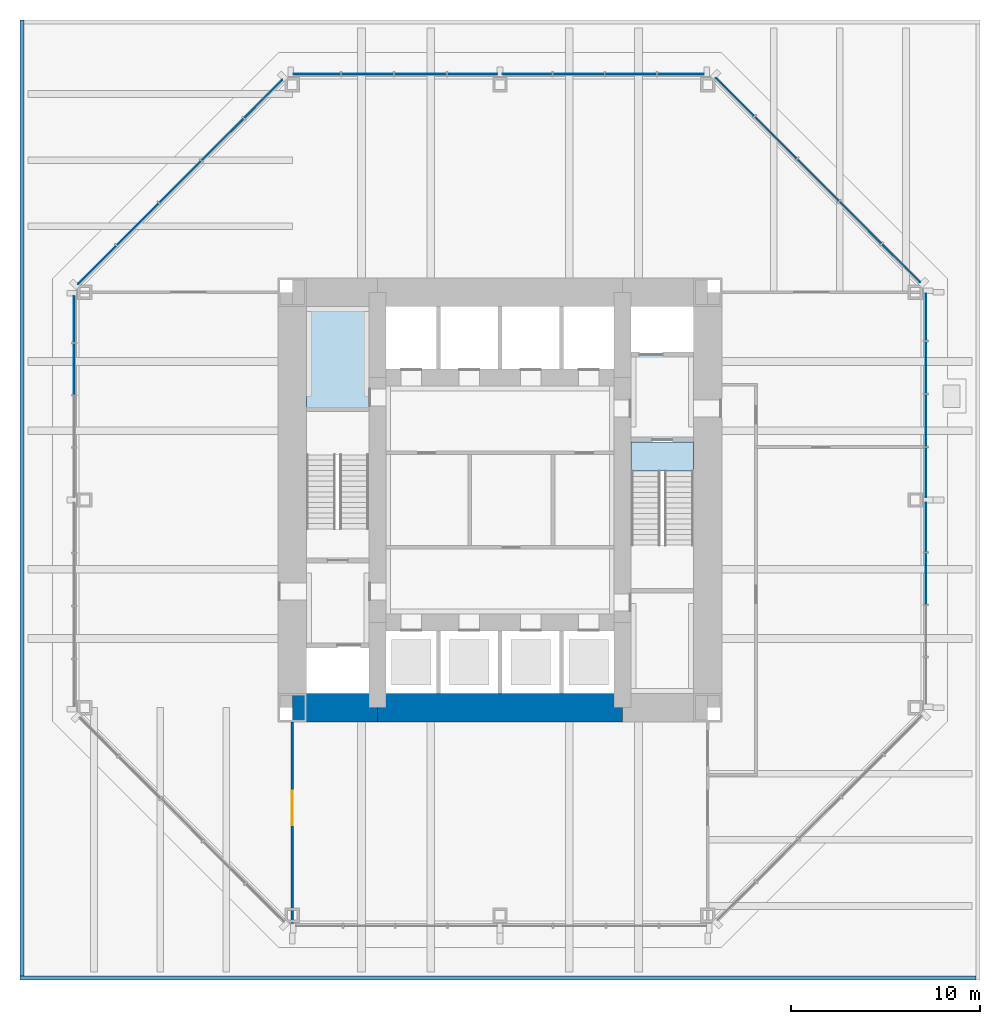
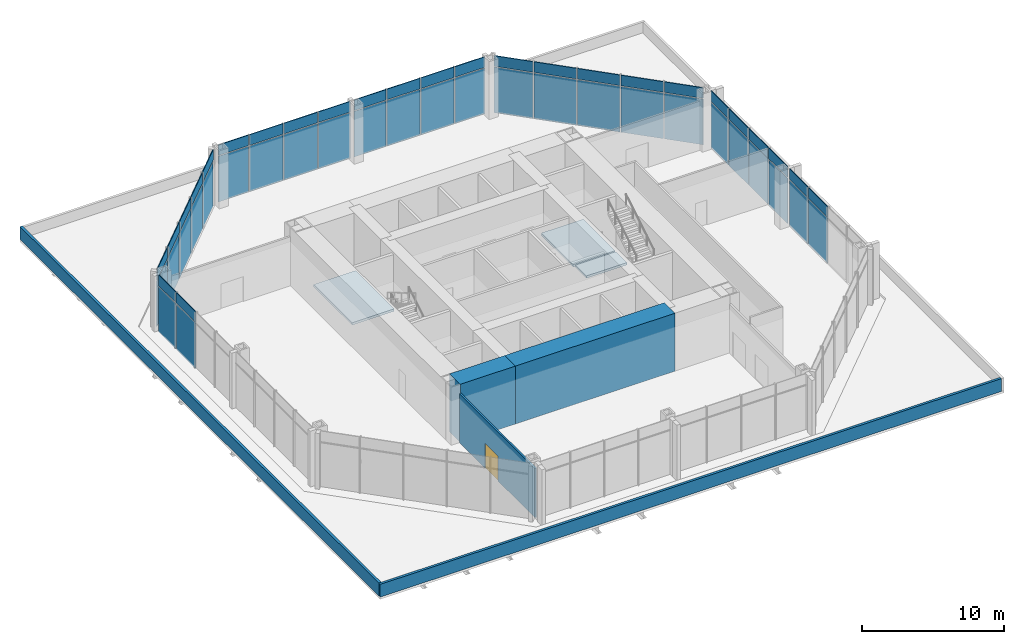
# One storey, part 7 of 11: 52 plates, 5 walls, 3 slabs, 1 door, 1 opening, 6 elements without a shape of their own.
"""IFC4 building model written with IfcOpenShell, lengths in metres."""

from ifc_helpers import new_model, si_unit, direction, frame, frame_2d, origin, origin_2d, place, context, subcontext, project, spatial, polyline, rectangle, outline, extrude, material, layer, layer_set, type_object, element, fill, aggregate, save


model = new_model("IFC4")

# Units and contexts
model_context = context("Model", 3, precision=1e-05, world=origin(), true_north=direction((0.0, 1.0)))
body_context = subcontext(model_context, "Body", "Model", "MODEL_VIEW")
ifc_project = project(units=[si_unit("LENGTHUNIT", "METRE"), si_unit("AREAUNIT", "SQUARE_METRE"), si_unit("VOLUMEUNIT", "CUBIC_METRE"), si_unit("PLANEANGLEUNIT", "RADIAN"), si_unit("MASSUNIT", "GRAM", prefix="KILO")], contexts=[model_context])

# Site, building, storey
site_placement = place(None, origin())
site = spatial("IfcSite", under=ifc_project, at=site_placement, CompositionType="ELEMENT")
building_placement = place(site_placement, origin())
building = spatial("IfcBuilding", under=site, at=building_placement, Name="Trevanion Tower", CompositionType="ELEMENT")
storey_placement = place(building_placement, frame((0.0, 0.0, 95.800048828125)))
storey = spatial("IfcBuildingStorey", under=building, at=storey_placement, Name="L22", CompositionType="ELEMENT", Elevation=95.800048828125)

# Curtain wall, plates
ifc_material_1 = material(Name="Aluminium and glass", Category="aluminium")
curtain_wall_type = type_object("IfcCurtainWallType", Name="CW2 curtain wall", PredefinedType="USERDEFINED", material=ifc_material_1)
curtain_wall_1_placement = place(storey_placement, origin())
curtain_wall_1 = element("IfcCurtainWall", 1, at=curtain_wall_1_placement, inside=storey, type_object=curtain_wall_type, Name="CW2 L22 0", ObjectType="UNITISED CURTAIN WALL", PredefinedType="USERDEFINED")
ifc_material_2 = material(Name="Aluminium spandrel panel", Category="aluminium")
ifc_layer_1 = layer(ifc_material_2, 0.06005859375)
ifc_layer_set_1 = layer_set([ifc_layer_1], Name="CW2 spandrel panel")
plate_type_1 = type_object("IfcPlateType", Name="CW2 spandrel panel", PredefinedType="CURTAIN_PANEL", material=ifc_layer_set_1)
plate_1_placement = place(storey_placement, frame((22.550048828125, -4.16162109375, 3.8974609375), z_axis=(0.0, 0.0, 1.0), x_axis=(0.0, 1.0, 0.0)))
plate_1 = element("IfcPlate", 2, at=plate_1_placement, type_object=plate_type_1, Name="CW2 panel 3.2", PredefinedType="CURTAIN_PANEL", context=body_context, shape_type="SweptSolid", body=[
    extrude(rectangle(XDim=2.699462890625, YDim=0.06005859375, at=origin_2d()), origin(), (0.0, 0.0, 1.0), 0.91259765625),
])
plate_2_placement = place(storey_placement, frame((22.550048828125, -1.443603515625, 3.8974609375), z_axis=(0.0, 0.0, 1.0), x_axis=(0.0, 1.0, 0.0)))
plate_2 = element("IfcPlate", 3, at=plate_2_placement, type_object=plate_type_1, Name="CW2 panel 4.2", PredefinedType="CURTAIN_PANEL", context=body_context, shape_type="SweptSolid", body=[
    extrude(rectangle(XDim=2.5869140625, YDim=0.06005859375, at=origin_2d()), origin(), (0.0, 0.0, 1.0), 0.91259765625),
])
plate_3_placement = place(storey_placement, frame((22.550048828125, 1.459716796875, 3.8974609375), z_axis=(0.0, 0.0, 1.0), x_axis=(0.0, 1.0, 0.0)))
plate_3 = element("IfcPlate", 4, at=plate_3_placement, type_object=plate_type_1, Name="CW2 panel 5.2", PredefinedType="CURTAIN_PANEL", context=body_context, shape_type="SweptSolid", body=[
    extrude(rectangle(XDim=2.619384765625, YDim=0.06005859375, at=origin_2d()), origin(), (0.0, 0.0, 1.0), 0.91259765625),
])
plate_4_placement = place(storey_placement, frame((22.550048828125, 4.21044921875, 3.8974609375), z_axis=(0.0, 0.0, 1.0), x_axis=(0.0, 1.0, 0.0)))
plate_4 = element("IfcPlate", 5, at=plate_4_placement, type_object=plate_type_1, Name="CW2 panel 6.2", PredefinedType="CURTAIN_PANEL", context=body_context, shape_type="SweptSolid", body=[
    extrude(rectangle(XDim=2.73193359375, YDim=0.06005859375, at=origin_2d()), origin(), (0.0, 0.0, 1.0), 0.91259765625),
])
plate_5_placement = place(storey_placement, frame((22.550048828125, 7.017333984375, 3.8974609375), z_axis=(0.0, 0.0, 1.0), x_axis=(0.0, 1.0, 0.0)))
plate_5 = element("IfcPlate", 6, at=plate_5_placement, type_object=plate_type_1, Name="CW2 panel 7.2", PredefinedType="CURTAIN_PANEL", context=body_context, shape_type="SweptSolid", body=[
    extrude(rectangle(XDim=2.73193359375, YDim=0.06005859375, at=origin_2d()), origin(), (0.0, 0.0, 1.0), 0.91259765625),
])
plate_6_placement = place(storey_placement, frame((22.550048828125, 9.693115234375, 3.8974609375), z_axis=(0.0, 0.0, 1.0), x_axis=(0.0, 1.0, 0.0)))
plate_6 = element("IfcPlate", 7, at=plate_6_placement, type_object=plate_type_1, Name="CW2 panel 8.2", PredefinedType="CURTAIN_PANEL", context=body_context, shape_type="SweptSolid", body=[
    extrude(rectangle(XDim=2.469482421875, YDim=0.06005859375, at=origin_2d()), origin(), (0.0, 0.0, 1.0), 0.91259765625),
])

curtain_wall_2_placement = place(storey_placement, origin())
curtain_wall_2 = element("IfcCurtainWall", 8, at=curtain_wall_2_placement, inside=storey, type_object=curtain_wall_type, Name="CW2 L22 1", ObjectType="UNITISED CURTAIN WALL", PredefinedType="USERDEFINED")
plate_7_placement = place(storey_placement, frame((21.2421875, 12.53564453125, 3.8974609375), z_axis=(0.0, 0.0, 1.0), x_axis=(-0.707106781187, 0.707106781187, 0.0)))
plate_7 = element("IfcPlate", 9, at=plate_7_placement, type_object=plate_type_1, Name="CW2 panel 1.2", PredefinedType="CURTAIN_PANEL", context=body_context, shape_type="SweptSolid", body=[
    extrude(rectangle(XDim=2.8388671875, YDim=0.06005859375, at=origin_2d()), origin(), (0.0, 0.0, 1.0), 0.91259765625),
])
plate_8_placement = place(storey_placement, frame((19.089111328125, 14.688720703125, 3.8974609375), z_axis=(0.0, 0.0, 1.0), x_axis=(-0.707106781187, 0.707106781187, 0.0)))
plate_8 = element("IfcPlate", 10, at=plate_8_placement, type_object=plate_type_1, Name="CW2 panel 2.2", PredefinedType="CURTAIN_PANEL", context=body_context, shape_type="SweptSolid", body=[
    extrude(rectangle(XDim=3.101318359375, YDim=0.06005859375, at=origin_2d()), origin(), (0.0, 0.0, 1.0), 0.91259765625),
])
plate_9_placement = place(storey_placement, frame((16.843017578125, 16.934814453125, 3.8974609375), z_axis=(0.0, 0.0, 1.0), x_axis=(-0.707106781187, 0.707106781187, 0.0)))
plate_9 = element("IfcPlate", 11, at=plate_9_placement, type_object=plate_type_1, Name="CW2 panel 3.2", PredefinedType="CURTAIN_PANEL", context=body_context, shape_type="SweptSolid", body=[
    extrude(rectangle(XDim=3.101318359375, YDim=0.06005859375, at=origin_2d()), origin(), (0.0, 0.0, 1.0), 0.91259765625),
])
plate_10_placement = place(storey_placement, frame((14.596923828125, 19.180908203125, 3.8974609375), z_axis=(0.0, 0.0, 1.0), x_axis=(-0.707106781187, 0.707106781187, 0.0)))
plate_10 = element("IfcPlate", 12, at=plate_10_placement, type_object=plate_type_1, Name="CW2 panel 4.2", PredefinedType="CURTAIN_PANEL", context=body_context, shape_type="SweptSolid", body=[
    extrude(rectangle(XDim=3.101318359375, YDim=0.06005859375, at=origin_2d()), origin(), (0.0, 0.0, 1.0), 0.91259765625),
])
plate_11_placement = place(storey_placement, frame((12.443603515625, 21.334228515625, 3.8974609375), z_axis=(0.0, 0.0, 1.0), x_axis=(-0.707106781187, 0.707106781187, 0.0)))
plate_11 = element("IfcPlate", 13, at=plate_11_placement, type_object=plate_type_1, Name="CW2 panel 5.2", PredefinedType="CURTAIN_PANEL", context=body_context, shape_type="SweptSolid", body=[
    extrude(rectangle(XDim=2.8388671875, YDim=0.06005859375, at=origin_2d()), origin(), (0.0, 0.0, 1.0), 0.91259765625),
])

curtain_wall_3_placement = place(storey_placement, origin())
curtain_wall_3 = element("IfcCurtainWall", 14, at=curtain_wall_3_placement, inside=storey, type_object=curtain_wall_type, Name="CW2 L22 2", ObjectType="UNITISED CURTAIN WALL", PredefinedType="USERDEFINED")
plate_12_placement = place(storey_placement, frame((9.579345703125, 22.550048828125, 3.8974609375), z_axis=(0.0, 0.0, 1.0), x_axis=(-1.0, 0.0, 0.0)))
plate_12 = element("IfcPlate", 15, at=plate_12_placement, type_object=plate_type_1, Name="CW2 panel 1.2", PredefinedType="CURTAIN_PANEL", context=body_context, shape_type="SweptSolid", body=[
    extrude(rectangle(XDim=2.43701171875, YDim=0.06005859375, at=origin_2d()), origin(), (0.0, 0.0, 1.0), 0.91259765625),
])
plate_13_placement = place(storey_placement, frame((6.93603515625, 22.550048828125, 3.8974609375), z_axis=(0.0, 0.0, 1.0), x_axis=(-1.0, 0.0, 0.0)))
plate_13 = element("IfcPlate", 16, at=plate_13_placement, type_object=plate_type_1, Name="CW2 panel 2.2", PredefinedType="CURTAIN_PANEL", context=body_context, shape_type="SweptSolid", body=[
    extrude(rectangle(XDim=2.699462890625, YDim=0.06005859375, at=origin_2d()), origin(), (0.0, 0.0, 1.0), 0.91259765625),
])
plate_14_placement = place(storey_placement, frame((4.16162109375, 22.550048828125, 3.8974609375), z_axis=(0.0, 0.0, 1.0), x_axis=(-1.0, 0.0, 0.0)))
plate_14 = element("IfcPlate", 17, at=plate_14_placement, type_object=plate_type_1, Name="CW2 panel 3.2", PredefinedType="CURTAIN_PANEL", context=body_context, shape_type="SweptSolid", body=[
    extrude(rectangle(XDim=2.699462890625, YDim=0.06005859375, at=origin_2d()), origin(), (0.0, 0.0, 1.0), 0.91259765625),
])
plate_15_placement = place(storey_placement, frame((1.443603515625, 22.550048828125, 3.8974609375), z_axis=(0.0, 0.0, 1.0), x_axis=(-1.0, 0.0, 0.0)))
plate_15 = element("IfcPlate", 18, at=plate_15_placement, type_object=plate_type_1, Name="CW2 panel 4.2", PredefinedType="CURTAIN_PANEL", context=body_context, shape_type="SweptSolid", body=[
    extrude(rectangle(XDim=2.5869140625, YDim=0.06005859375, at=origin_2d()), origin(), (0.0, 0.0, 1.0), 0.91259765625),
])
plate_16_placement = place(storey_placement, frame((-1.459716796875, 22.550048828125, 3.8974609375), z_axis=(0.0, 0.0, 1.0), x_axis=(-1.0, 0.0, 0.0)))
plate_16 = element("IfcPlate", 19, at=plate_16_placement, type_object=plate_type_1, Name="CW2 panel 5.2", PredefinedType="CURTAIN_PANEL", context=body_context, shape_type="SweptSolid", body=[
    extrude(rectangle(XDim=2.619384765625, YDim=0.06005859375, at=origin_2d()), origin(), (0.0, 0.0, 1.0), 0.91259765625),
])
plate_17_placement = place(storey_placement, frame((-4.21044921875, 22.550048828125, 3.8974609375), z_axis=(0.0, 0.0, 1.0), x_axis=(-1.0, 0.0, 0.0)))
plate_17 = element("IfcPlate", 20, at=plate_17_placement, type_object=plate_type_1, Name="CW2 panel 6.2", PredefinedType="CURTAIN_PANEL", context=body_context, shape_type="SweptSolid", body=[
    extrude(rectangle(XDim=2.73193359375, YDim=0.06005859375, at=origin_2d()), origin(), (0.0, 0.0, 1.0), 0.91259765625),
])
plate_18_placement = place(storey_placement, frame((-7.017333984375, 22.550048828125, 3.8974609375), z_axis=(0.0, 0.0, 1.0), x_axis=(-1.0, 0.0, 0.0)))
plate_18 = element("IfcPlate", 21, at=plate_18_placement, type_object=plate_type_1, Name="CW2 panel 7.2", PredefinedType="CURTAIN_PANEL", context=body_context, shape_type="SweptSolid", body=[
    extrude(rectangle(XDim=2.73193359375, YDim=0.06005859375, at=origin_2d()), origin(), (0.0, 0.0, 1.0), 0.91259765625),
])
plate_19_placement = place(storey_placement, frame((-9.693115234375, 22.550048828125, 3.8974609375), z_axis=(0.0, 0.0, 1.0), x_axis=(-1.0, 0.0, 0.0)))
plate_19 = element("IfcPlate", 22, at=plate_19_placement, type_object=plate_type_1, Name="CW2 panel 8.2", PredefinedType="CURTAIN_PANEL", context=body_context, shape_type="SweptSolid", body=[
    extrude(rectangle(XDim=2.469482421875, YDim=0.06005859375, at=origin_2d()), origin(), (0.0, 0.0, 1.0), 0.91259765625),
])

curtain_wall_4_placement = place(storey_placement, origin())
curtain_wall_4 = element("IfcCurtainWall", 23, at=curtain_wall_4_placement, inside=storey, type_object=curtain_wall_type, Name="CW2 L22 3", ObjectType="UNITISED CURTAIN WALL", PredefinedType="USERDEFINED")
plate_20_placement = place(storey_placement, frame((-12.53564453125, 21.2421875, 3.8974609375), z_axis=(0.0, 0.0, 1.0), x_axis=(-0.707106781187, -0.707106781187, 0.0)))
plate_20 = element("IfcPlate", 24, at=plate_20_placement, type_object=plate_type_1, Name="CW2 panel 1.2", PredefinedType="CURTAIN_PANEL", context=body_context, shape_type="SweptSolid", body=[
    extrude(rectangle(XDim=2.8388671875, YDim=0.06005859375, at=origin_2d()), origin(), (0.0, 0.0, 1.0), 0.91259765625),
])
plate_21_placement = place(storey_placement, frame((-14.688720703125, 19.089111328125, 3.8974609375), z_axis=(0.0, 0.0, 1.0), x_axis=(-0.707106781187, -0.707106781187, 0.0)))
plate_21 = element("IfcPlate", 25, at=plate_21_placement, type_object=plate_type_1, Name="CW2 panel 2.2", PredefinedType="CURTAIN_PANEL", context=body_context, shape_type="SweptSolid", body=[
    extrude(rectangle(XDim=3.101318359375, YDim=0.06005859375, at=origin_2d()), origin(), (0.0, 0.0, 1.0), 0.91259765625),
])
plate_22_placement = place(storey_placement, frame((-16.934814453125, 16.843017578125, 3.8974609375), z_axis=(0.0, 0.0, 1.0), x_axis=(-0.707106781187, -0.707106781187, 0.0)))
plate_22 = element("IfcPlate", 26, at=plate_22_placement, type_object=plate_type_1, Name="CW2 panel 3.2", PredefinedType="CURTAIN_PANEL", context=body_context, shape_type="SweptSolid", body=[
    extrude(rectangle(XDim=3.101318359375, YDim=0.06005859375, at=origin_2d()), origin(), (0.0, 0.0, 1.0), 0.91259765625),
])
plate_23_placement = place(storey_placement, frame((-19.180908203125, 14.596923828125, 3.8974609375), z_axis=(0.0, 0.0, 1.0), x_axis=(-0.707106781187, -0.707106781187, 0.0)))
plate_23 = element("IfcPlate", 27, at=plate_23_placement, type_object=plate_type_1, Name="CW2 panel 4.2", PredefinedType="CURTAIN_PANEL", context=body_context, shape_type="SweptSolid", body=[
    extrude(rectangle(XDim=3.101318359375, YDim=0.06005859375, at=origin_2d()), origin(), (0.0, 0.0, 1.0), 0.91259765625),
])
plate_24_placement = place(storey_placement, frame((-21.334228515625, 12.443603515625, 3.8974609375), z_axis=(0.0, 0.0, 1.0), x_axis=(-0.707106781187, -0.707106781187, 0.0)))
plate_24 = element("IfcPlate", 28, at=plate_24_placement, type_object=plate_type_1, Name="CW2 panel 5.2", PredefinedType="CURTAIN_PANEL", context=body_context, shape_type="SweptSolid", body=[
    extrude(rectangle(XDim=2.8388671875, YDim=0.06005859375, at=origin_2d()), origin(), (0.0, 0.0, 1.0), 0.91259765625),
])

curtain_wall_5_placement = place(storey_placement, origin())
curtain_wall_5 = element("IfcCurtainWall", 29, at=curtain_wall_5_placement, inside=storey, type_object=curtain_wall_type, Name="CW2 L22 4", ObjectType="UNITISED CURTAIN WALL", PredefinedType="USERDEFINED")
plate_25_placement = place(storey_placement, frame((-22.550048828125, 9.579345703125, 3.8974609375), z_axis=(0.0, 0.0, 1.0), x_axis=(0.0, -1.0, 0.0)))
plate_25 = element("IfcPlate", 30, at=plate_25_placement, type_object=plate_type_1, Name="CW2 panel 1.2", PredefinedType="CURTAIN_PANEL", context=body_context, shape_type="SweptSolid", body=[
    extrude(rectangle(XDim=2.43701171875, YDim=0.06005859375, at=origin_2d()), origin(), (0.0, 0.0, 1.0), 0.91259765625),
])
plate_26_placement = place(storey_placement, frame((-22.550048828125, 6.93603515625, 3.8974609375), z_axis=(0.0, 0.0, 1.0), x_axis=(0.0, -1.0, 0.0)))
plate_26 = element("IfcPlate", 31, at=plate_26_placement, type_object=plate_type_1, Name="CW2 panel 2.2", PredefinedType="CURTAIN_PANEL", context=body_context, shape_type="SweptSolid", body=[
    extrude(rectangle(XDim=2.699462890625, YDim=0.06005859375, at=origin_2d()), origin(), (0.0, 0.0, 1.0), 0.91259765625),
])

# Plate
ifc_material_3 = material(Name="Insulating glass unit", Category="glass")
ifc_layer_2 = layer(ifc_material_3, 0.028076171875)
ifc_layer_set_2 = layer_set([ifc_layer_2], Name="CW2 vision panel")
plate_type_2 = type_object("IfcPlateType", Name="CW2 vision panel", PredefinedType="CURTAIN_PANEL", material=ifc_layer_set_2)
plate_27_placement = place(storey_placement, frame((22.550048828125, -4.16162109375, -0.114990234375), z_axis=(0.0, 0.0, 1.0), x_axis=(0.0, 1.0, 0.0)))
plate_27 = element("IfcPlate", 32, at=plate_27_placement, type_object=plate_type_2, Name="CW2 panel 3.1", PredefinedType="CURTAIN_PANEL", context=body_context, shape_type="SweptSolid", body=[
    extrude(rectangle(XDim=2.699462890625, YDim=0.028076171875, at=origin_2d()), origin(), (0.0, 0.0, 1.0), 3.9375),
])

plate_28_placement = place(storey_placement, frame((22.550048828125, -1.443603515625, -0.114990234375), z_axis=(0.0, 0.0, 1.0), x_axis=(0.0, 1.0, 0.0)))
plate_28 = element("IfcPlate", 33, at=plate_28_placement, type_object=plate_type_2, Name="CW2 panel 4.1", PredefinedType="CURTAIN_PANEL", context=body_context, shape_type="SweptSolid", body=[
    extrude(rectangle(XDim=2.5869140625, YDim=0.028076171875, at=origin_2d()), origin(), (0.0, 0.0, 1.0), 3.9375),
])

plate_29_placement = place(storey_placement, frame((22.550048828125, 1.459716796875, -0.114990234375), z_axis=(0.0, 0.0, 1.0), x_axis=(0.0, 1.0, 0.0)))
plate_29 = element("IfcPlate", 34, at=plate_29_placement, type_object=plate_type_2, Name="CW2 panel 5.1", PredefinedType="CURTAIN_PANEL", context=body_context, shape_type="SweptSolid", body=[
    extrude(rectangle(XDim=2.619384765625, YDim=0.028076171875, at=origin_2d()), origin(), (0.0, 0.0, 1.0), 3.9375),
])

plate_30_placement = place(storey_placement, frame((22.550048828125, 4.21044921875, -0.114990234375), z_axis=(0.0, 0.0, 1.0), x_axis=(0.0, 1.0, 0.0)))
plate_30 = element("IfcPlate", 35, at=plate_30_placement, type_object=plate_type_2, Name="CW2 panel 6.1", PredefinedType="CURTAIN_PANEL", context=body_context, shape_type="SweptSolid", body=[
    extrude(rectangle(XDim=2.73193359375, YDim=0.028076171875, at=origin_2d()), origin(), (0.0, 0.0, 1.0), 3.9375),
])

plate_31_placement = place(storey_placement, frame((22.550048828125, 7.017333984375, -0.114990234375), z_axis=(0.0, 0.0, 1.0), x_axis=(0.0, 1.0, 0.0)))
plate_31 = element("IfcPlate", 36, at=plate_31_placement, type_object=plate_type_2, Name="CW2 panel 7.1", PredefinedType="CURTAIN_PANEL", context=body_context, shape_type="SweptSolid", body=[
    extrude(rectangle(XDim=2.73193359375, YDim=0.028076171875, at=origin_2d()), origin(), (0.0, 0.0, 1.0), 3.9375),
])

plate_32_placement = place(storey_placement, frame((22.550048828125, 9.693115234375, -0.114990234375), z_axis=(0.0, 0.0, 1.0), x_axis=(0.0, 1.0, 0.0)))
plate_32 = element("IfcPlate", 37, at=plate_32_placement, type_object=plate_type_2, Name="CW2 panel 8.1", PredefinedType="CURTAIN_PANEL", context=body_context, shape_type="SweptSolid", body=[
    extrude(rectangle(XDim=2.469482421875, YDim=0.028076171875, at=origin_2d()), origin(), (0.0, 0.0, 1.0), 3.9375),
])

aggregate(curtain_wall_1, [plate_27, plate_1, plate_28, plate_2, plate_29, plate_3, plate_30, plate_4, plate_31, plate_5, plate_32, plate_6])

plate_33_placement = place(storey_placement, frame((21.2421875, 12.53564453125, -0.114990234375), z_axis=(0.0, 0.0, 1.0), x_axis=(-0.707106781187, 0.707106781187, 0.0)))
plate_33 = element("IfcPlate", 38, at=plate_33_placement, type_object=plate_type_2, Name="CW2 panel 1.1", PredefinedType="CURTAIN_PANEL", context=body_context, shape_type="SweptSolid", body=[
    extrude(rectangle(XDim=2.8388671875, YDim=0.028076171875, at=origin_2d()), origin(), (0.0, 0.0, 1.0), 3.9375),
])

plate_34_placement = place(storey_placement, frame((19.089111328125, 14.688720703125, -0.114990234375), z_axis=(0.0, 0.0, 1.0), x_axis=(-0.707106781187, 0.707106781187, 0.0)))
plate_34 = element("IfcPlate", 39, at=plate_34_placement, type_object=plate_type_2, Name="CW2 panel 2.1", PredefinedType="CURTAIN_PANEL", context=body_context, shape_type="SweptSolid", body=[
    extrude(rectangle(XDim=3.101318359375, YDim=0.028076171875, at=origin_2d()), origin(), (0.0, 0.0, 1.0), 3.9375),
])

plate_35_placement = place(storey_placement, frame((16.843017578125, 16.934814453125, -0.114990234375), z_axis=(0.0, 0.0, 1.0), x_axis=(-0.707106781187, 0.707106781187, 0.0)))
plate_35 = element("IfcPlate", 40, at=plate_35_placement, type_object=plate_type_2, Name="CW2 panel 3.1", PredefinedType="CURTAIN_PANEL", context=body_context, shape_type="SweptSolid", body=[
    extrude(rectangle(XDim=3.101318359375, YDim=0.028076171875, at=origin_2d()), origin(), (0.0, 0.0, 1.0), 3.9375),
])

plate_36_placement = place(storey_placement, frame((14.596923828125, 19.180908203125, -0.114990234375), z_axis=(0.0, 0.0, 1.0), x_axis=(-0.707106781187, 0.707106781187, 0.0)))
plate_36 = element("IfcPlate", 41, at=plate_36_placement, type_object=plate_type_2, Name="CW2 panel 4.1", PredefinedType="CURTAIN_PANEL", context=body_context, shape_type="SweptSolid", body=[
    extrude(rectangle(XDim=3.101318359375, YDim=0.028076171875, at=origin_2d()), origin(), (0.0, 0.0, 1.0), 3.9375),
])

plate_37_placement = place(storey_placement, frame((12.443603515625, 21.334228515625, -0.114990234375), z_axis=(0.0, 0.0, 1.0), x_axis=(-0.707106781187, 0.707106781187, 0.0)))
plate_37 = element("IfcPlate", 42, at=plate_37_placement, type_object=plate_type_2, Name="CW2 panel 5.1", PredefinedType="CURTAIN_PANEL", context=body_context, shape_type="SweptSolid", body=[
    extrude(rectangle(XDim=2.8388671875, YDim=0.028076171875, at=origin_2d()), origin(), (0.0, 0.0, 1.0), 3.9375),
])

aggregate(curtain_wall_2, [plate_33, plate_7, plate_34, plate_8, plate_35, plate_9, plate_36, plate_10, plate_37, plate_11])

plate_38_placement = place(storey_placement, frame((9.579345703125, 22.550048828125, -0.114990234375), z_axis=(0.0, 0.0, 1.0), x_axis=(-1.0, 0.0, 0.0)))
plate_38 = element("IfcPlate", 43, at=plate_38_placement, type_object=plate_type_2, Name="CW2 panel 1.1", PredefinedType="CURTAIN_PANEL", context=body_context, shape_type="SweptSolid", body=[
    extrude(rectangle(XDim=2.43701171875, YDim=0.028076171875, at=origin_2d()), origin(), (0.0, 0.0, 1.0), 3.9375),
])

plate_39_placement = place(storey_placement, frame((6.93603515625, 22.550048828125, -0.114990234375), z_axis=(0.0, 0.0, 1.0), x_axis=(-1.0, 0.0, 0.0)))
plate_39 = element("IfcPlate", 44, at=plate_39_placement, type_object=plate_type_2, Name="CW2 panel 2.1", PredefinedType="CURTAIN_PANEL", context=body_context, shape_type="SweptSolid", body=[
    extrude(rectangle(XDim=2.699462890625, YDim=0.028076171875, at=origin_2d()), origin(), (0.0, 0.0, 1.0), 3.9375),
])

plate_40_placement = place(storey_placement, frame((4.16162109375, 22.550048828125, -0.114990234375), z_axis=(0.0, 0.0, 1.0), x_axis=(-1.0, 0.0, 0.0)))
plate_40 = element("IfcPlate", 45, at=plate_40_placement, type_object=plate_type_2, Name="CW2 panel 3.1", PredefinedType="CURTAIN_PANEL", context=body_context, shape_type="SweptSolid", body=[
    extrude(rectangle(XDim=2.699462890625, YDim=0.028076171875, at=origin_2d()), origin(), (0.0, 0.0, 1.0), 3.9375),
])

plate_41_placement = place(storey_placement, frame((1.443603515625, 22.550048828125, -0.114990234375), z_axis=(0.0, 0.0, 1.0), x_axis=(-1.0, 0.0, 0.0)))
plate_41 = element("IfcPlate", 46, at=plate_41_placement, type_object=plate_type_2, Name="CW2 panel 4.1", PredefinedType="CURTAIN_PANEL", context=body_context, shape_type="SweptSolid", body=[
    extrude(rectangle(XDim=2.5869140625, YDim=0.028076171875, at=origin_2d()), origin(), (0.0, 0.0, 1.0), 3.9375),
])

plate_42_placement = place(storey_placement, frame((-1.459716796875, 22.550048828125, -0.114990234375), z_axis=(0.0, 0.0, 1.0), x_axis=(-1.0, 0.0, 0.0)))
plate_42 = element("IfcPlate", 47, at=plate_42_placement, type_object=plate_type_2, Name="CW2 panel 5.1", PredefinedType="CURTAIN_PANEL", context=body_context, shape_type="SweptSolid", body=[
    extrude(rectangle(XDim=2.619384765625, YDim=0.028076171875, at=origin_2d()), origin(), (0.0, 0.0, 1.0), 3.9375),
])

plate_43_placement = place(storey_placement, frame((-4.21044921875, 22.550048828125, -0.114990234375), z_axis=(0.0, 0.0, 1.0), x_axis=(-1.0, 0.0, 0.0)))
plate_43 = element("IfcPlate", 48, at=plate_43_placement, type_object=plate_type_2, Name="CW2 panel 6.1", PredefinedType="CURTAIN_PANEL", context=body_context, shape_type="SweptSolid", body=[
    extrude(rectangle(XDim=2.73193359375, YDim=0.028076171875, at=origin_2d()), origin(), (0.0, 0.0, 1.0), 3.9375),
])

plate_44_placement = place(storey_placement, frame((-7.017333984375, 22.550048828125, -0.114990234375), z_axis=(0.0, 0.0, 1.0), x_axis=(-1.0, 0.0, 0.0)))
plate_44 = element("IfcPlate", 49, at=plate_44_placement, type_object=plate_type_2, Name="CW2 panel 7.1", PredefinedType="CURTAIN_PANEL", context=body_context, shape_type="SweptSolid", body=[
    extrude(rectangle(XDim=2.73193359375, YDim=0.028076171875, at=origin_2d()), origin(), (0.0, 0.0, 1.0), 3.9375),
])

plate_45_placement = place(storey_placement, frame((-9.693115234375, 22.550048828125, -0.114990234375), z_axis=(0.0, 0.0, 1.0), x_axis=(-1.0, 0.0, 0.0)))
plate_45 = element("IfcPlate", 50, at=plate_45_placement, type_object=plate_type_2, Name="CW2 panel 8.1", PredefinedType="CURTAIN_PANEL", context=body_context, shape_type="SweptSolid", body=[
    extrude(rectangle(XDim=2.469482421875, YDim=0.028076171875, at=origin_2d()), origin(), (0.0, 0.0, 1.0), 3.9375),
])

aggregate(curtain_wall_3, [plate_38, plate_12, plate_39, plate_13, plate_40, plate_14, plate_41, plate_15, plate_42, plate_16, plate_43, plate_17, plate_44, plate_18, plate_45, plate_19])

plate_46_placement = place(storey_placement, frame((-12.53564453125, 21.2421875, -0.114990234375), z_axis=(0.0, 0.0, 1.0), x_axis=(-0.707106781187, -0.707106781187, 0.0)))
plate_46 = element("IfcPlate", 51, at=plate_46_placement, type_object=plate_type_2, Name="CW2 panel 1.1", PredefinedType="CURTAIN_PANEL", context=body_context, shape_type="SweptSolid", body=[
    extrude(rectangle(XDim=2.8388671875, YDim=0.028076171875, at=origin_2d()), origin(), (0.0, 0.0, 1.0), 3.9375),
])

plate_47_placement = place(storey_placement, frame((-14.688720703125, 19.089111328125, -0.114990234375), z_axis=(0.0, 0.0, 1.0), x_axis=(-0.707106781187, -0.707106781187, 0.0)))
plate_47 = element("IfcPlate", 52, at=plate_47_placement, type_object=plate_type_2, Name="CW2 panel 2.1", PredefinedType="CURTAIN_PANEL", context=body_context, shape_type="SweptSolid", body=[
    extrude(rectangle(XDim=3.101318359375, YDim=0.028076171875, at=origin_2d()), origin(), (0.0, 0.0, 1.0), 3.9375),
])

plate_48_placement = place(storey_placement, frame((-16.934814453125, 16.843017578125, -0.114990234375), z_axis=(0.0, 0.0, 1.0), x_axis=(-0.707106781187, -0.707106781187, 0.0)))
plate_48 = element("IfcPlate", 53, at=plate_48_placement, type_object=plate_type_2, Name="CW2 panel 3.1", PredefinedType="CURTAIN_PANEL", context=body_context, shape_type="SweptSolid", body=[
    extrude(rectangle(XDim=3.101318359375, YDim=0.028076171875, at=origin_2d()), origin(), (0.0, 0.0, 1.0), 3.9375),
])

plate_49_placement = place(storey_placement, frame((-19.180908203125, 14.596923828125, -0.114990234375), z_axis=(0.0, 0.0, 1.0), x_axis=(-0.707106781187, -0.707106781187, 0.0)))
plate_49 = element("IfcPlate", 54, at=plate_49_placement, type_object=plate_type_2, Name="CW2 panel 4.1", PredefinedType="CURTAIN_PANEL", context=body_context, shape_type="SweptSolid", body=[
    extrude(rectangle(XDim=3.101318359375, YDim=0.028076171875, at=origin_2d()), origin(), (0.0, 0.0, 1.0), 3.9375),
])

plate_50_placement = place(storey_placement, frame((-21.334228515625, 12.443603515625, -0.114990234375), z_axis=(0.0, 0.0, 1.0), x_axis=(-0.707106781187, -0.707106781187, 0.0)))
plate_50 = element("IfcPlate", 55, at=plate_50_placement, type_object=plate_type_2, Name="CW2 panel 5.1", PredefinedType="CURTAIN_PANEL", context=body_context, shape_type="SweptSolid", body=[
    extrude(rectangle(XDim=2.8388671875, YDim=0.028076171875, at=origin_2d()), origin(), (0.0, 0.0, 1.0), 3.9375),
])

aggregate(curtain_wall_4, [plate_46, plate_20, plate_47, plate_21, plate_48, plate_22, plate_49, plate_23, plate_50, plate_24])

plate_51_placement = place(storey_placement, frame((-22.550048828125, 9.579345703125, -0.114990234375), z_axis=(0.0, 0.0, 1.0), x_axis=(0.0, -1.0, 0.0)))
plate_51 = element("IfcPlate", 56, at=plate_51_placement, type_object=plate_type_2, Name="CW2 panel 1.1", PredefinedType="CURTAIN_PANEL", context=body_context, shape_type="SweptSolid", body=[
    extrude(rectangle(XDim=2.43701171875, YDim=0.028076171875, at=origin_2d()), origin(), (0.0, 0.0, 1.0), 3.9375),
])

plate_52_placement = place(storey_placement, frame((-22.550048828125, 6.93603515625, -0.114990234375), z_axis=(0.0, 0.0, 1.0), x_axis=(0.0, -1.0, 0.0)))
plate_52 = element("IfcPlate", 57, at=plate_52_placement, type_object=plate_type_2, Name="CW2 panel 2.1", PredefinedType="CURTAIN_PANEL", context=body_context, shape_type="SweptSolid", body=[
    extrude(rectangle(XDim=2.699462890625, YDim=0.028076171875, at=origin_2d()), origin(), (0.0, 0.0, 1.0), 3.9375),
])

aggregate(curtain_wall_5, [plate_51, plate_25, plate_52, plate_26])

# Slabs
ifc_material_4 = material(Name="Concrete 5,000 psi", Category="concrete")
ifc_layer_3 = layer(ifc_material_4, 0.199951171875)
ifc_layer_set_3 = layer_set([ifc_layer_3], Name="SL2 core floor 200")
slab_type_1 = type_object("IfcSlabType", Name="SL2 core floor 200", PredefinedType="FLOOR", material=ifc_layer_set_3)
slab_1_placement = place(storey_placement, frame((0.0, 0.0, -0.199951171875)))
element("IfcSlab", 58, at=slab_1_placement, inside=storey, type_object=slab_type_1, Name="SL2 L22 core floor 4", PredefinedType="FLOOR", context=body_context, shape_type="SweptSolid", body=[
    extrude(outline(polyline([(6.830078125, 3.205078125), (6.830078125, 7.695068359375), (10.25, 7.695068359375), (10.25, 3.205078125), (6.830078125, 3.205078125)])), origin(), (0.0, 0.0, 1.0), 0.199951171875),
])
slab_2_placement = place(storey_placement, frame((0.0, 0.0, -0.199951171875)))
element("IfcSlab", 59, at=slab_2_placement, inside=storey, type_object=slab_type_1, Name="SL2 L22 core floor 5", PredefinedType="FLOOR", context=body_context, shape_type="SweptSolid", body=[
    extrude(outline(polyline([(-6.830078125, 4.804931640625), (-10.25, 4.804931640625), (-10.25, 10.25), (-6.830078125, 10.25), (-6.830078125, 4.804931640625)])), origin(), (0.0, 0.0, 1.0), 0.199951171875),
])

# Stair, slab
ifc_material_5 = material(Name="Concrete 5,000 psi on steel stringers", Category="concrete")
stair_type = type_object("IfcStairType", Name="ST stair", PredefinedType="HALF_TURN_STAIR", material=ifc_material_5)
stair_placement = place(storey_placement, origin())
stair = element("IfcStair", 60, at=stair_placement, inside=storey, type_object=stair_type, Name="ST1 L22", PredefinedType="HALF_TURN_STAIR")
ifc_material_6 = material(Name="Concrete 5,000 psi in steel pan", Category="concrete")
ifc_layer_4 = layer(ifc_material_6, 0.199951171875)
ifc_layer_set_4 = layer_set([ifc_layer_4], Name="STL stair landing 200")
slab_type_2 = type_object("IfcSlabType", Name="STL stair landing 200", PredefinedType="LANDING", material=ifc_layer_set_4)
slab_3_placement = place(storey_placement, frame((0.0, 0.0, -0.199951171875)))
slab_3 = element("IfcSlab", 61, at=slab_3_placement, type_object=slab_type_2, Name="ST1 landing 1", PredefinedType="LANDING", context=body_context, shape_type="SweptSolid", body=[
    extrude(outline(polyline([(6.949951171875, 1.52490234375), (10.25, 1.52490234375), (10.25, 3.074951171875), (6.949951171875, 3.074951171875), (6.949951171875, 1.52490234375)])), origin(), (0.0, 0.0, 1.0), 0.199951171875),
])
aggregate(stair, [slab_3])

# Walls
ifc_material_7 = material(Name="Concrete 10,000 psi", Category="concrete")
ifc_layer_5 = layer(ifc_material_7, 1.5)
ifc_layer_set_5 = layer_set([ifc_layer_5], Name="CW1 core wall 1500")
wall_type_1 = type_object("IfcWallType", Name="CW1 core wall 1500", PredefinedType="SHEAR", material=ifc_layer_set_5)
wall_1_placement = place(storey_placement, frame((-11.0, -11.0, 0.0), z_axis=(0.0, 0.0, 1.0), x_axis=(1.0, 0.0, 0.0)))
element("IfcWall", 62, at=wall_1_placement, inside=storey, type_object=wall_type_1, Name="CW1 CS1 L22", PredefinedType="SHEAR", context=body_context, shape_type="SweptSolid", body=[
    extrude(rectangle(XDim=4.5, YDim=1.5, at=frame_2d((2.25, 0.0))), origin(), (0.0, 0.0, 1.0), 5.0),
])
wall_2_placement = place(storey_placement, frame((-6.5, -11.0, 0.0), z_axis=(0.0, 0.0, 1.0), x_axis=(1.0, 0.0, 0.0)))
element("IfcWall", 63, at=wall_2_placement, inside=storey, type_object=wall_type_1, Name="CW1 CS2 L22", PredefinedType="SHEAR", context=body_context, shape_type="SweptSolid", body=[
    extrude(rectangle(XDim=13.0, YDim=1.5, at=frame_2d((6.5, 0.0))), origin(), (0.0, 0.0, 1.0), 5.0),
])
ifc_material_8 = material(Name="Reinforced concrete parapet faced in bronze metal coping", Category="concrete")
ifc_layer_6 = layer(ifc_material_8, 0.199951171875)
ifc_layer_set_6 = layer_set([ifc_layer_6], Name="PP1 parapet 200")
wall_type_2 = type_object("IfcWallType", Name="PP1 parapet 200", PredefinedType="PARAPET", material=ifc_layer_set_6)
for number, where, z_axis, x_axis, name in (
    (64, (25.219970703125, -25.320068359375, 0.0), (0.0, 0.0, 1.0), (-1.0, 0.0, 0.0), "PP1 L22 1"),
    (65, (-25.320068359375, -25.219970703125, 0.0), (0.0, 0.0, 1.0), (0.0, 1.0, 0.0), "PP1 L22 2"),
):
    element("IfcWall", number, at=place(storey_placement, frame(where, z_axis=z_axis, x_axis=x_axis)), inside=storey, type_object=wall_type_2, Name=name, PredefinedType="PARAPET", context=body_context, shape_type="SweptSolid", body=[
        extrude(rectangle(XDim=50.639892578125, YDim=0.199951171875, at=frame_2d((25.31982421875, 0.0))), origin(), (0.0, 0.0, 1.0), 1.099853515625),
    ])

# Wall, opening, door
ifc_material_9 = material(Name="Gypsum board on steel studs", Category="steel")
ifc_layer_7 = layer(ifc_material_9, 0.14990234375)
ifc_layer_set_7 = layer_set([ifc_layer_7], Name="PT1 partition 150")
wall_type_3 = type_object("IfcWallType", Name="PT1 partition 150", PredefinedType="PARTITIONING", material=ifc_layer_set_7)
wall_3_placement = place(storey_placement, frame((-11.0, -11.75, 0.0), z_axis=(0.0, 0.0, 1.0), x_axis=(0.0, -1.0, 0.0)))
wall_3 = element("IfcWall", 66, at=wall_3_placement, inside=storey, type_object=wall_type_3, Name="PT1 L22 SL2", PredefinedType="PARTITIONING", context=body_context, shape_type="SweptSolid", body=[
    extrude(rectangle(XDim=10.6650390625, YDim=0.14990234375, at=frame_2d((5.33251953125, 0.0))), origin(), (0.0, 0.0, 1.0), 4.225830078125),
])
opening_placement = place(wall_3_placement, frame((3.635009765625, 0.0, 0.0)))
opening = element("IfcOpeningElement", 67, at=opening_placement, cuts=wall_3, Name="Opening 22-023", PredefinedType="OPENING", context=body_context, shape_type="SweptSolid", body=[
    extrude(rectangle(XDim=1.830078125, YDim=2.134033203125, at=frame_2d((0.9150390625, 1.06689453125))), frame((0.0, 0.0849609375, 0.0), z_axis=(0.0, -1.0, 0.0), x_axis=(1.0, 0.0, 0.0)), (0.0, 0.0, 1.0), 0.169921875),
])
ifc_material_10 = material(Name="Timber veneer, solid core", Category="wood")
door_type = type_object("IfcDoorType", Name="D20 lounge double door", OperationType="DOUBLE_DOOR_DOUBLE_SWING", PredefinedType="DOOR", material=ifc_material_10)
door_placement = place(opening_placement, origin())
door = element("IfcDoor", 68, at=door_placement, inside=storey, type_object=door_type, Name="Door 22-023", OperationType="DOUBLE_DOOR_DOUBLE_SWING", OverallHeight=2.134033203125, OverallWidth=1.830078125, PredefinedType="DOOR", context=body_context, shape_type="SweptSolid", body=[
    extrude(rectangle(XDim=1.830078125, YDim=2.134033203125, at=frame_2d((0.9150390625, 1.06689453125))), frame((0.0, 0.02490234375, 0.0), z_axis=(0.0, -1.0, 0.0), x_axis=(1.0, 0.0, 0.0)), (0.0, 0.0, 1.0), 0.050048828125),
])
fill(opening, door)

save(model, "model.ifc")
